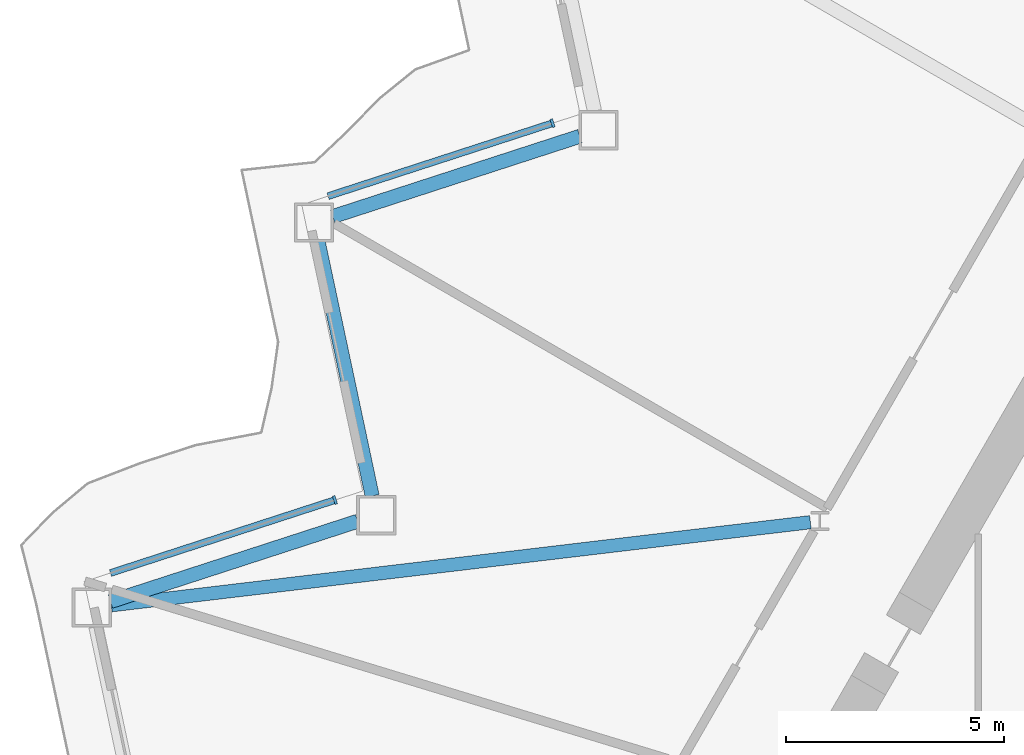
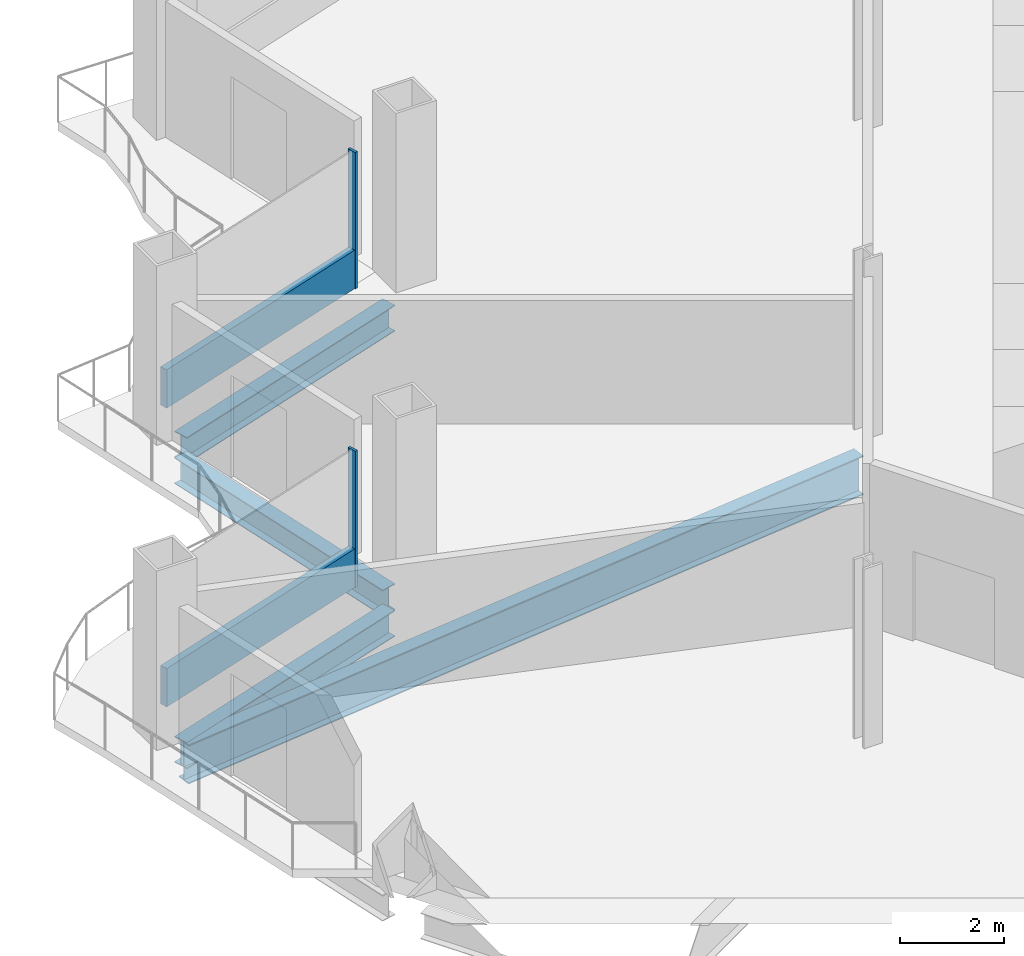
# One storey, part 4 of 21: 4 beams, 4 members, 2 elements without a shape of their own.
"""IFC4 building model written with IfcOpenShell, lengths in metres."""

from ifc_helpers import new_model, si_unit, direction, frame, origin, origin_2d, place, context, subcontext, project, spatial, rectangle, i_section, extrude, material, layer, layer_set, material_profile, profile_set, type_object, element, aggregate, save


model = new_model("IFC4")

# Units and contexts
model_context = context("Model", 3, precision=1e-05, world=origin(), true_north=direction((0.0, 1.0)))
body_context = subcontext(model_context, "Body", "Model", "MODEL_VIEW")
ifc_project = project(units=[si_unit("LENGTHUNIT", "METRE"), si_unit("AREAUNIT", "SQUARE_METRE"), si_unit("VOLUMEUNIT", "CUBIC_METRE"), si_unit("PLANEANGLEUNIT", "RADIAN"), si_unit("MASSUNIT", "GRAM", prefix="KILO")], contexts=[model_context])

# Site, building, storey
site_placement = place(None, origin())
site = spatial("IfcSite", under=ifc_project, at=site_placement, CompositionType="ELEMENT")
building_placement = place(site_placement, origin())
building = spatial("IfcBuilding", under=site, at=building_placement, Name="Cormorant Prow Tower", CompositionType="ELEMENT")
storey_placement = place(building_placement, frame((0.0, 0.0, 103.800048828125)))
storey = spatial("IfcBuildingStorey", under=building, at=storey_placement, Name="L21", CompositionType="ELEMENT", Elevation=103.800048828125)

# Curtain wall, member
ifc_material_1 = material(Name="Aluminium 6063-T6", Category="aluminium")
ifc_layer = layer(ifc_material_1, 0.199951171875)
ifc_layer_set = layer_set([ifc_layer], Name="Aluminium 6063-T6")
curtain_wall_type = type_object("IfcCurtainWallType", Name="Office unitised curtain wall 200", PredefinedType="NOTDEFINED", material=ifc_layer_set)
curtain_wall_1_placement = place(storey_placement, origin())
curtain_wall_1 = element("IfcCurtainWall", 1, at=curtain_wall_1_placement, inside=storey, type_object=curtain_wall_type, Name="Office curtain wall WNW06", PredefinedType="NOTDEFINED")
ifc_material_2 = material(Name="Aluminium 6063-T6", Category="aluminium")
ifc_material_profile_1 = material_profile(ifc_material_2, rectangle(XDim=0.199951171875, YDim=0.06005859375, at=origin_2d()), Name="Office mullion 60x200")
ifc_profile_set_1 = profile_set([ifc_material_profile_1], Name="Aluminium 6063-T6")
member_type_1 = type_object("IfcMemberType", Name="Office mullion 60x200", PredefinedType="MULLION", material=ifc_profile_set_1)
member_1_placement = place(storey_placement, frame((-21.623779296875, 6.14794921875, 0.0), z_axis=(0.0, 0.0, 1.0), x_axis=(0.309016933855, -0.951056535959, 0.0)))
member_1 = element("IfcMember", 2, at=member_1_placement, type_object=member_type_1, Name="Office mullion WNW06", PredefinedType="MULLION", context=body_context, shape_type="SweptSolid", body=[
    extrude(rectangle(XDim=0.199951171875, YDim=0.06005859375, at=origin_2d()), origin(), (0.0, 0.0, 1.0), 3.18896484375),
])

curtain_wall_2_placement = place(storey_placement, origin())
curtain_wall_2 = element("IfcCurtainWall", 3, at=curtain_wall_2_placement, inside=storey, type_object=curtain_wall_type, Name="Office curtain wall WNW08", PredefinedType="NOTDEFINED")
member_2_placement = place(storey_placement, frame((-26.616455078125, -2.499755859375, 0.0), z_axis=(0.0, 0.0, 1.0), x_axis=(0.309016933855, -0.951056535959, 0.0)))
member_2 = element("IfcMember", 4, at=member_2_placement, type_object=member_type_1, Name="Office mullion WNW08", PredefinedType="MULLION", context=body_context, shape_type="SweptSolid", body=[
    extrude(rectangle(XDim=0.199951171875, YDim=0.06005859375, at=origin_2d()), origin(), (0.0, 0.0, 1.0), 3.18896484375),
])

# Member
ifc_material_3 = material(Name="Terracotta", Category="masonry")
ifc_material_profile_2 = material_profile(ifc_material_3, rectangle(XDim=0.159912109375, YDim=0.89990234375, at=origin_2d()), Name="Office terracotta spandrel rail 160x900")
ifc_profile_set_2 = profile_set([ifc_material_profile_2], Name="Terracotta")
member_type_2 = type_object("IfcMemberType", Name="Office terracotta spandrel rail 160x900", PredefinedType="USERDEFINED", material=ifc_profile_set_2)
member_3_placement = place(storey_placement, frame((-21.652099609375, 6.138671875, 0.449951171875), z_axis=(-0.951053718729, -0.309025604265, 0.0), x_axis=(0.309025604265, -0.951053718729, 0.0)))
member_3 = element("IfcMember", 5, at=member_3_placement, type_object=member_type_2, Name="Office spandrel rail WNW06", ObjectType="TRANSOM", PredefinedType="USERDEFINED", context=body_context, shape_type="SweptSolid", body=[
    extrude(rectangle(XDim=0.159912109375, YDim=0.89990234375, at=origin_2d()), origin(), (0.0, 0.0, 1.0), 5.386474609375),
])

aggregate(curtain_wall_1, [member_1, member_3])

member_4_placement = place(storey_placement, frame((-26.644775390625, -2.509033203125, 0.449951171875), z_axis=(-0.951067039037, -0.30898460683, 0.0), x_axis=(0.30898460683, -0.951067039037, 0.0)))
member_4 = element("IfcMember", 6, at=member_4_placement, type_object=member_type_2, Name="Office spandrel rail WNW08", ObjectType="TRANSOM", PredefinedType="USERDEFINED", context=body_context, shape_type="SweptSolid", body=[
    extrude(rectangle(XDim=0.159912109375, YDim=0.89990234375, at=origin_2d()), origin(), (0.0, 0.0, 1.0), 5.386474609375),
])

aggregate(curtain_wall_2, [member_2, member_4])

# Beams
ifc_material_4 = material(Name="Structural steel ASTM A992 Gr 50", Category="steel")
ifc_material_profile_3 = material_profile(ifc_material_4, i_section(OverallWidth=0.3046875, OverallDepth=0.914794921875, WebThickness=0.0166015625, FlangeThickness=0.02587890625, at=origin_2d()), Name="W36x160")
ifc_profile_set_3 = profile_set([ifc_material_profile_3], Name="Structural steel ASTM A992 Gr 50")
beam_type_1 = type_object("IfcBeamType", Name="Radial floor beam W36x160", PredefinedType="BEAM", material=ifc_profile_set_3)
beam_1_placement = place(storey_placement, frame((-15.70849609375, -3.00732421875, -0.857421875), z_axis=(-0.993009167646, -0.118037252474, 0.0), x_axis=(0.118037252474, -0.993009167646, 0.0)))
element("IfcBeam", 7, at=beam_1_placement, inside=storey, type_object=beam_type_1, Name="Radial floor beam FB1 4 L21", PredefinedType="BEAM", context=body_context, shape_type="SweptSolid", body=[
    extrude(i_section(OverallWidth=0.3046875, OverallDepth=0.914794921875, WebThickness=0.0166015625, FlangeThickness=0.02587890625, at=origin_2d()), origin(), (0.0, 0.0, 1.0), 16.15380859375),
])
ifc_material_5 = material(Name="Structural steel ASTM A992 Gr 50", Category="steel")
ifc_material_profile_4 = material_profile(ifc_material_5, i_section(OverallWidth=0.32373046875, OverallDepth=0.611083984375, WebThickness=0.0126953125, FlangeThickness=0.01904296875, at=origin_2d()), Name="W24x104")
ifc_profile_set_4 = profile_set([ifc_material_profile_4], Name="Structural steel ASTM A992 Gr 50")
beam_type_2 = type_object("IfcBeamType", Name="Spandrel beam W24x104", PredefinedType="SPANDREL", material=ifc_profile_set_4)
beam_2_placement = place(storey_placement, frame((-20.99755859375, 5.847900390625, -0.70556640625), z_axis=(-0.951055430656, -0.309020335608, 0.0), x_axis=(0.309020335608, -0.951055430656, 0.0)))
element("IfcBeam", 8, at=beam_2_placement, inside=storey, type_object=beam_type_2, Name="Spandrel beam SB1 WNW06-WNW07 L21", PredefinedType="SPANDREL", context=body_context, shape_type="SweptSolid", body=[
    extrude(i_section(OverallWidth=0.32373046875, OverallDepth=0.611083984375, WebThickness=0.0126953125, FlangeThickness=0.01904296875, at=origin_2d()), origin(), (0.0, 0.0, 1.0), 5.96240234375),
])
for number, where, z_axis, x_axis, name in (
    (9, (-27.002685546875, 3.426025390625, -0.70556640625), (0.207920947907, -0.978145633033, 0.0), (0.978145633033, 0.207920947907, 0.0), "Spandrel beam SB1 WNW07-WNW08 L21"),
    (10, (-26.097412109375, -2.985595703125, -0.70556640625), (-0.951059340519, -0.309008302174, 0.0), (0.309008302174, -0.951059340519, 0.0), "Spandrel beam SB1 WNW08-WNW09 L21"),
):
    element("IfcBeam", number, at=place(storey_placement, frame(where, z_axis=z_axis, x_axis=x_axis)), inside=storey, type_object=beam_type_2, Name=name, PredefinedType="SPANDREL", context=body_context, shape_type="SweptSolid", body=[
        extrude(i_section(OverallWidth=0.32373046875, OverallDepth=0.611083984375, WebThickness=0.0126953125, FlangeThickness=0.01904296875, at=origin_2d()), origin(), (0.0, 0.0, 1.0), 5.962646484375),
    ])

save(model, "model.ifc")
